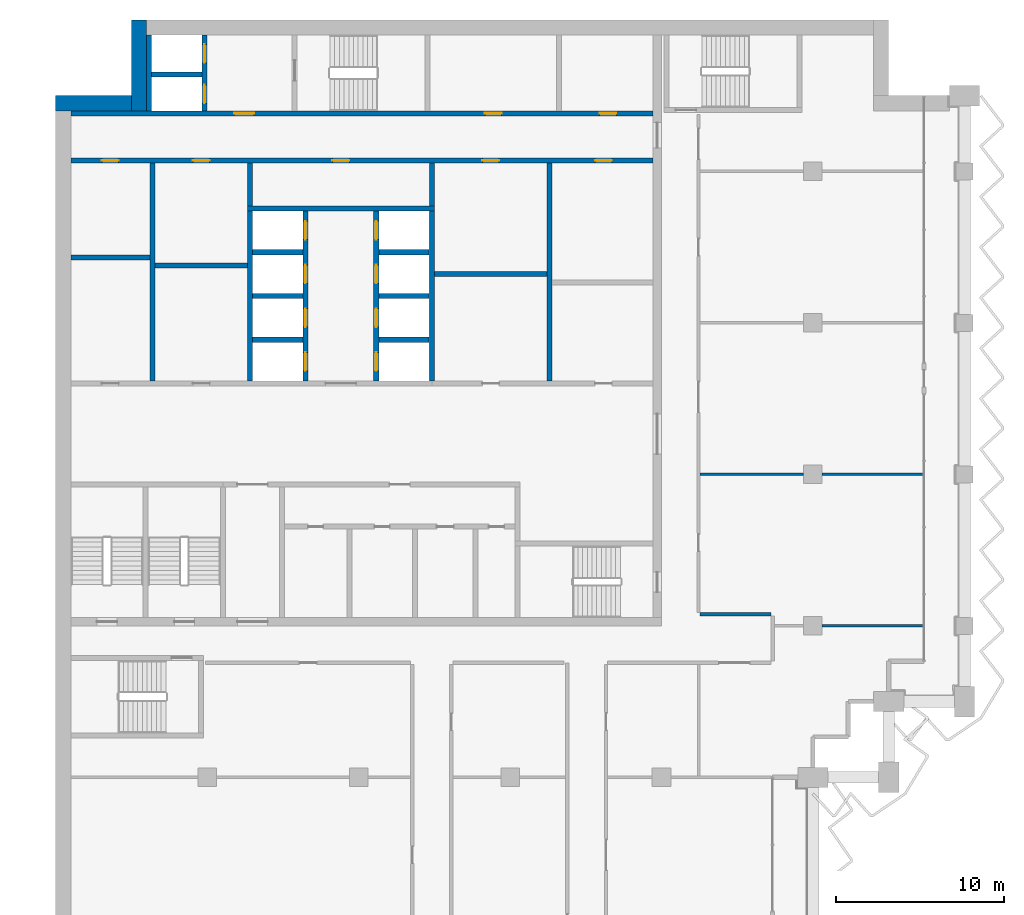
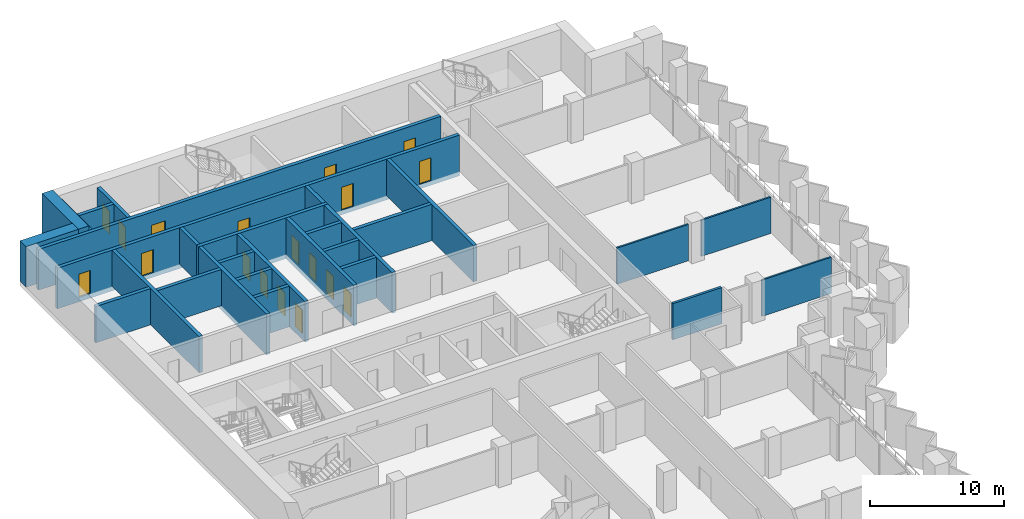
# One storey, part 10 of 17: 29 walls, 18 doors, 18 openings.
"""IFC4 building model written with IfcOpenShell, lengths in metres."""

import ifcopenshell
import ifcopenshell.guid

model = None  # the IFC model being written
_history = None  # IfcOwnerHistory: only IFC2X3 demands one
_inside = {}  # id of a spatial element -> (the spatial element, [elements in it])
_under = {}  # id of a project, library or spatial element -> (it, [spatial elements below it])
_declared = {}  # id of a project -> (the project, [libraries it declares])
_typed = {}  # id of a type object -> (the type object, [elements of that type])
_made_of = {}  # id of a material, layer set ... -> (it, [elements and type objects made of it])


def new_model(schema):
    """Start an empty IFC model of exactly this schema.

    Asked for "IFC4X3", IfcOpenShell would pick the latest addendum, in which some entities
    have other attributes; the version numbers below select the first issue.
    IFC2X3 requires an IfcOwnerHistory on every rooted entity: one is made here for all.
    """
    global model, _history
    if schema == "IFC4X3":
        model = ifcopenshell.file(schema_version=(4, 3, 0, 0))
    else:
        model = ifcopenshell.file(schema=schema)
    _inside.clear()
    _under.clear()
    _declared.clear()
    _typed.clear()
    _made_of.clear()
    _history = None
    if model.schema == "IFC2X3":
        org = make("IfcOrganization", Name="unknown")
        user = make(
            "IfcPersonAndOrganization",
            ThePerson=make("IfcPerson", FamilyName="unknown"),
            TheOrganization=org,
        )
        app = make(
            "IfcApplication",
            ApplicationDeveloper=org,
            Version="unknown",
            ApplicationFullName="unknown",
            ApplicationIdentifier="unknown",
        )
        _history = make(
            "IfcOwnerHistory",
            OwningUser=user,
            OwningApplication=app,
            ChangeAction="ADDED",
            CreationDate=0,
        )
    return model


def make(cls, **values):
    """One entity of the class cls with the attributes given. An attribute that is None is left unset."""
    return model.create_entity(
        cls, **{name: value for name, value in values.items() if value is not None}
    )


def rooted(cls, **values):
    """An entity with a GlobalId (a new one), such as an element, a storey or a relation."""
    return make(cls, GlobalId=ifcopenshell.guid.new(), OwnerHistory=_history, **values)


def si_unit(unit_type, name, prefix=None):
    """IfcSIUnit, for example si_unit("LENGTHUNIT", "METRE", prefix="MILLI")."""
    return make("IfcSIUnit", UnitType=unit_type, Prefix=prefix, Name=name)


def assignment(units):
    """IfcUnitAssignment: the units of a project."""
    return None if units is None else make("IfcUnitAssignment", Units=units)


def point(xyz):
    """IfcCartesianPoint."""
    return None if xyz is None else make("IfcCartesianPoint", Coordinates=xyz)


def direction(xyz):
    """IfcDirection."""
    return None if xyz is None else make("IfcDirection", DirectionRatios=xyz)


def frame(location, z_axis=None, x_axis=None):
    """IfcAxis2Placement3D, a coordinate frame: its origin and axes. An axis left out is left unset."""
    return make(
        "IfcAxis2Placement3D",
        Location=point(location),
        Axis=direction(z_axis),
        RefDirection=direction(x_axis),
    )


def frame_2d(location, x_axis=None):
    """IfcAxis2Placement2D, a coordinate frame in the plane: its origin and x axis."""
    return make(
        "IfcAxis2Placement2D", Location=point(location), RefDirection=direction(x_axis)
    )


def origin():
    """The frame at (0, 0, 0) with its axes left unset."""
    return frame((0.0, 0.0, 0.0))


def place(relative_to, where):
    """IfcLocalPlacement: puts the frame where relative to a parent placement (None: the world)."""
    return make(
        "IfcLocalPlacement", PlacementRelTo=relative_to, RelativePlacement=where
    )


def context(
    kind, dimensions, precision=None, world=None, true_north=None, identifier=None
):
    """IfcGeometricRepresentationContext, for example the 3D "Model" context."""
    return make(
        "IfcGeometricRepresentationContext",
        ContextIdentifier=identifier,
        ContextType=kind,
        CoordinateSpaceDimension=dimensions,
        Precision=precision,
        WorldCoordinateSystem=world,
        TrueNorth=true_north,
    )


def subcontext(parent, identifier, kind, view, scale=None):
    """IfcGeometricRepresentationSubContext, for example "Body" below "Model"."""
    return make(
        "IfcGeometricRepresentationSubContext",
        ContextIdentifier=identifier,
        ContextType=kind,
        ParentContext=parent,
        TargetScale=scale,
        TargetView=view,
    )


def project(units=None, contexts=None):
    """IfcProject with its units and contexts."""
    return rooted(
        "IfcProject",
        Name="project",
        RepresentationContexts=contexts,
        UnitsInContext=assignment(units),
    )


def spatial(cls, under=None, at=None, **own):
    """A site, building, storey or space (cls), placed at a placement, below another one or the project."""
    s = rooted(cls, ObjectPlacement=at, **own)
    if under is not None:
        _under.setdefault(under.id(), (under, []))[1].append(s)
    return s


def profile(cls, at=None, kind="AREA", **sizes):
    """A parametric profile (cls). Its sizes go by their IFC names, for example OverallWidth=200.0."""
    return make(cls, ProfileType=kind, Position=at, **sizes)


def rectangle(**sizes):
    """IfcRectangleProfileDef."""
    return profile("IfcRectangleProfileDef", **sizes)


def extrude(swept, where, along, depth):
    """IfcExtrudedAreaSolid: the profile swept, set in the frame where, extruded along a direction by depth."""
    return make(
        "IfcExtrudedAreaSolid",
        SweptArea=swept,
        Position=where,
        ExtrudedDirection=direction(along),
        Depth=depth,
    )


def shape(context_of_items, identifier, shape_type, items):
    """IfcShapeRepresentation: the items that make up one representation, for example the "Body"."""
    return make(
        "IfcShapeRepresentation",
        ContextOfItems=context_of_items,
        RepresentationIdentifier=identifier,
        RepresentationType=shape_type,
        Items=items,
    )


def material(Name=None, Category=None):
    """IfcMaterial."""
    return make("IfcMaterial", Name=Name, Category=Category)


def layer(
    of_material, thickness, ventilated=None, Name=None, Category=None, Priority=None
):
    """IfcMaterialLayer: one layer of a wall or slab, of a material (None: an air gap)."""
    return make(
        "IfcMaterialLayer",
        Material=of_material,
        LayerThickness=thickness,
        IsVentilated=ventilated,
        Name=Name,
        Category=Category,
        Priority=Priority,
    )


def layer_set(layers, Name=None):
    """IfcMaterialLayerSet."""
    return make("IfcMaterialLayerSet", MaterialLayers=layers, LayerSetName=Name)


def made_of(thing, what):
    """Note that an element or type object is made of a material, layer set ...; save() writes the relation."""
    if what is not None:
        _made_of.setdefault(what.id(), (what, []))[1].append(thing)
    return thing


def type_object(cls, material=None, **own):
    """A type object (cls), such as IfcWallType, which elements share."""
    return made_of(rooted(cls, **own), material)


def element(
    cls,
    number,
    at=None,
    inside=None,
    cuts=None,
    type_object=None,
    material=None,
    context=None,
    identifier="Body",
    shape_type=None,
    held_by="IfcProductDefinitionShape",
    body=None,
    shapes=None,
    **own,
):
    """One element of the class cls, such as IfcWall. Its Tag is "e" and its number.

    at: its placement. inside: the storey or other place that contains it. cuts: it is an
    opening in that element (IfcRelVoidsElement). A single representation is given by context,
    identifier, shape_type and body (its items); several are given by shapes. held_by: the class
    of the entity that holds the representations. save() writes the other relations.
    """
    e = rooted(cls, Tag="e%d" % number, ObjectPlacement=at, **own)
    if body is not None:
        shapes = [shape(context, identifier, shape_type, body)]
    if shapes is not None:
        e.Representation = make(held_by, Representations=shapes)
    if inside is not None:
        _inside.setdefault(inside.id(), (inside, []))[1].append(e)
    if cuts is not None:
        rooted(
            "IfcRelVoidsElement", RelatingBuildingElement=cuts, RelatedOpeningElement=e
        )
    if type_object is not None:
        _typed.setdefault(type_object.id(), (type_object, []))[1].append(e)
    return made_of(e, material)


def fill(opening, filler):
    """IfcRelFillsElement: the door or window that sits in an opening."""
    return rooted(
        "IfcRelFillsElement",
        RelatingOpeningElement=opening,
        RelatedBuildingElement=filler,
    )


def aggregate(whole, parts):
    """IfcRelAggregates: a whole, such as a stair, and the parts it consists of."""
    return rooted("IfcRelAggregates", RelatingObject=whole, RelatedObjects=parts)


def save(model, path):
    """Write the relations noted so far, then the file.

    IfcRelAggregates (storeys below a building ...), IfcRelContainedInSpatialStructure (elements
    in a storey), IfcRelDefinesByType, IfcRelAssociatesMaterial and IfcRelDeclares: one each for
    every whole, place, type object, material and project.
    """
    for whole, parts in _under.values():
        aggregate(whole, parts)
    for where, things in _inside.values():
        rooted(
            "IfcRelContainedInSpatialStructure",
            RelatedElements=things,
            RelatingStructure=where,
        )
    for kind, things in _typed.values():
        rooted("IfcRelDefinesByType", RelatedObjects=things, RelatingType=kind)
    for what, things in _made_of.values():
        rooted("IfcRelAssociatesMaterial", RelatedObjects=things, RelatingMaterial=what)
    for by, libraries in _declared.values():
        rooted("IfcRelDeclares", RelatingContext=by, RelatedDefinitions=libraries)
    model.write(path)


model = new_model("IFC4")

# Units and contexts
model_context = context("Model", 3, precision=1e-05, world=origin(), true_north=direction((0.0, 1.0)))
body_context = subcontext(model_context, "Body", "Model", "MODEL_VIEW")
ifc_project = project(units=[si_unit("LENGTHUNIT", "METRE"), si_unit("AREAUNIT", "SQUARE_METRE"), si_unit("VOLUMEUNIT", "CUBIC_METRE"), si_unit("PLANEANGLEUNIT", "RADIAN"), si_unit("MASSUNIT", "GRAM", prefix="KILO")], contexts=[model_context])

# Site, building, storey
site_placement = place(None, origin())
site = spatial("IfcSite", under=ifc_project, at=site_placement, CompositionType="ELEMENT")
building_placement = place(site_placement, origin())
building = spatial("IfcBuilding", under=site, at=building_placement, Name="Hunhe Ridgeline Campus", CompositionType="ELEMENT")
storey_placement = place(building_placement, frame((0.0, 0.0, 212.39990234375)))
storey = spatial("IfcBuildingStorey", under=building, at=storey_placement, Name="L54", CompositionType="ELEMENT", Elevation=212.39990234375)

# Walls
ifc_material_1 = material(Name="Masonry concrete blockwork", Category="masonry")
ifc_layer_1 = layer(ifc_material_1, 0.300048828125)
ifc_layer_set_1 = layer_set([ifc_layer_1], Name="Core room partition 300 concrete block")
wall_type_1 = type_object("IfcWallType", Name="Core room partition 300 concrete block", PredefinedType="PARTITIONING", material=ifc_layer_set_1)
wall_1_placement = place(storey_placement, frame((22.5, 83.89990234375, 0.0), z_axis=(0.0, 0.0, 1.0), x_axis=(1.0, 0.0, 0.0)))
element("IfcWall", 1, at=wall_1_placement, inside=storey, type_object=wall_type_1, Name="L54 core partition 19", PredefinedType="PARTITIONING", context=body_context, shape_type="SweptSolid", body=[
    extrude(rectangle(XDim=6.699951171875, YDim=0.300048828125, at=frame_2d((3.35009765625, 0.0))), origin(), (0.0, 0.0, 1.0), 3.300048828125),
])
wall_2_placement = place(storey_placement, frame((5.89990234375, 84.39990234375, 0.0), z_axis=(0.0, 0.0, 1.0), x_axis=(1.0, 0.0, 0.0)))
element("IfcWall", 2, at=wall_2_placement, inside=storey, type_object=wall_type_1, Name="L54 core partition 20", PredefinedType="PARTITIONING", context=body_context, shape_type="SweptSolid", body=[
    extrude(rectangle(XDim=5.5, YDim=0.300048828125, at=frame_2d((2.75, 0.0))), origin(), (0.0, 0.0, 1.0), 3.300048828125),
])
wall_3_placement = place(storey_placement, frame((0.89990234375, 84.89990234375, 0.0), z_axis=(0.0, 0.0, 1.0), x_axis=(1.0, 0.0, 0.0)))
element("IfcWall", 3, at=wall_3_placement, inside=storey, type_object=wall_type_1, Name="L54 core partition 21", PredefinedType="PARTITIONING", context=body_context, shape_type="SweptSolid", body=[
    extrude(rectangle(XDim=4.7001953125, YDim=0.300048828125, at=frame_2d((2.35009765625, 0.0))), origin(), (0.0, 0.0, 1.0), 3.300048828125),
])
wall_4_placement = place(storey_placement, frame((5.75, 77.550048828125, 0.0), z_axis=(0.0, 0.0, 1.0), x_axis=(0.0, 1.0, 0.0)))
element("IfcWall", 4, at=wall_4_placement, inside=storey, type_object=wall_type_1, Name="L54 core partition 31", PredefinedType="PARTITIONING", context=body_context, shape_type="SweptSolid", body=[
    extrude(rectangle(XDim=12.949951171875, YDim=0.300048828125, at=frame_2d((6.47509765625, 0.0))), origin(), (0.0, 0.0, 1.0), 3.300048828125),
])
for number, where, z_axis, x_axis, name in (
    (5, (11.550048828125, 87.949951171875, 0.0), (0.0, 0.0, 1.0), (0.0, 1.0, 0.0), "L54 core partition 37"),
    (6, (22.35009765625, 87.949951171875, 0.0), (0.0, 0.0, 1.0), (0.0, 1.0, 0.0), "L54 core partition 47"),
):
    element("IfcWall", number, at=place(storey_placement, frame(where, z_axis=z_axis, x_axis=x_axis)), inside=storey, type_object=wall_type_1, Name=name, PredefinedType="PARTITIONING", context=body_context, shape_type="SweptSolid", body=[
        extrude(rectangle(XDim=2.550048828125, YDim=0.300048828125, at=frame_2d((1.27490234375, 0.0))), origin(), (0.0, 0.0, 1.0), 3.300048828125),
    ])
wall_5_placement = place(storey_placement, frame((29.35009765625, 77.550048828125, 0.0), z_axis=(0.0, 0.0, 1.0), x_axis=(0.0, 1.0, 0.0)))
element("IfcWall", 7, at=wall_5_placement, inside=storey, type_object=wall_type_1, Name="L54 core partition 52", PredefinedType="PARTITIONING", context=body_context, shape_type="SweptSolid", body=[
    extrude(rectangle(XDim=12.949951171875, YDim=0.300048828125, at=frame_2d((6.47509765625, 0.0))), origin(), (0.0, 0.0, 1.0), 3.300048828125),
])
ifc_material_2 = material(Name="Gypsum board partition")
ifc_layer_2 = layer(ifc_material_2, 0.199951171875)
ifc_layer_set_2 = layer_set([ifc_layer_2], Name="Corridor partition 200 gypsum board on steel studs")
wall_type_2 = type_object("IfcWallType", Name="Corridor partition 200 gypsum board on steel studs", PredefinedType="PARTITIONING", material=ifc_layer_set_2)
wall_6_placement = place(storey_placement, frame((38.300048828125, 63.699951171875, 0.0), z_axis=(0.0, 0.0, 1.0), x_axis=(1.0, 0.0, 0.0)))
element("IfcWall", 8, at=wall_6_placement, inside=storey, type_object=wall_type_2, Name="F-L54-wall-038", PredefinedType="PARTITIONING", context=body_context, shape_type="SweptSolid", body=[
    extrude(rectangle(XDim=4.199951171875, YDim=0.199951171875, at=frame_2d((2.10009765625, 0.0))), origin(), (0.0, 0.0, 1.0), 3.300048828125),
])

# Wall, openings, doors
ifc_material_3 = material(Name="Concrete C60", Category="concrete")
ifc_layer_3 = layer(ifc_material_3, 0.300048828125)
ifc_layer_set_3 = layer_set([ifc_layer_3], Name="Lobby wall 300 reinforced concrete C60")
wall_type_3 = type_object("IfcWallType", Name="Lobby wall 300 reinforced concrete C60", PredefinedType="SOLIDWALL", material=ifc_layer_set_3)
wall_7_placement = place(storey_placement, frame((0.89990234375, 90.64990234375, -0.39990234375), z_axis=(0.0, 0.0, 1.0), x_axis=(1.0, 0.0, 0.0)))
wall_7 = element("IfcWall", 9, at=wall_7_placement, inside=storey, type_object=wall_type_3, Name="L54 core wall 25", PredefinedType="SOLIDWALL", context=body_context, shape_type="SweptSolid", body=[
    extrude(rectangle(XDim=34.60009765625, YDim=0.300048828125, at=frame_2d((17.300048828125, 0.0))), origin(), (0.0, 0.0, 1.0), 3.699951171875),
])
opening_1_placement = place(wall_7_placement, frame((15.550048828125, 0.0, 0.39990234375)))
opening_1 = element("IfcOpeningElement", 10, at=opening_1_placement, cuts=wall_7, Name="Opening CD26", PredefinedType="OPENING", context=body_context, shape_type="SweptSolid", body=[
    extrude(rectangle(XDim=1.0, YDim=2.10009765625, at=frame_2d((0.5, 1.050048828125))), frame((0.0, 0.14990234375, 0.0), z_axis=(0.0, -1.0, 0.0), x_axis=(1.0, 0.0, 0.0)), (0.0, 0.0, 1.0), 0.300048828125),
])
opening_2_placement = place(wall_7_placement, frame((1.85009765625, 0.0, 0.39990234375)))
opening_2 = element("IfcOpeningElement", 11, at=opening_2_placement, cuts=wall_7, Name="Opening CD40", PredefinedType="OPENING", context=body_context, shape_type="SweptSolid", body=[
    extrude(rectangle(XDim=1.0, YDim=2.10009765625, at=frame_2d((0.5, 1.050048828125))), frame((0.0, 0.14990234375, 0.0), z_axis=(0.0, -1.0, 0.0), x_axis=(1.0, 0.0, 0.0)), (0.0, 0.0, 1.0), 0.300048828125),
])
opening_3_placement = place(wall_7_placement, frame((7.25, 0.0, 0.39990234375)))
opening_3 = element("IfcOpeningElement", 12, at=opening_3_placement, cuts=wall_7, Name="Opening CD43", PredefinedType="OPENING", context=body_context, shape_type="SweptSolid", body=[
    extrude(rectangle(XDim=1.0, YDim=2.10009765625, at=frame_2d((0.5, 1.050048828125))), frame((0.0, 0.14990234375, 0.0), z_axis=(0.0, -1.0, 0.0), x_axis=(1.0, 0.0, 0.0)), (0.0, 0.0, 1.0), 0.300048828125),
])
opening_4_placement = place(wall_7_placement, frame((24.449951171875, 0.0, 0.39990234375)))
opening_4 = element("IfcOpeningElement", 13, at=opening_4_placement, cuts=wall_7, Name="Opening CD33", PredefinedType="OPENING", context=body_context, shape_type="SweptSolid", body=[
    extrude(rectangle(XDim=1.0, YDim=2.10009765625, at=frame_2d((0.5, 1.050048828125))), frame((0.0, 0.14990234375, 0.0), z_axis=(0.0, -1.0, 0.0), x_axis=(1.0, 0.0, 0.0)), (0.0, 0.0, 1.0), 0.300048828125),
])
opening_5_placement = place(wall_7_placement, frame((31.14990234375, 0.0, 0.39990234375)))
opening_5 = element("IfcOpeningElement", 14, at=opening_5_placement, cuts=wall_7, Name="Opening CD44", PredefinedType="OPENING", context=body_context, shape_type="SweptSolid", body=[
    extrude(rectangle(XDim=1.0, YDim=2.10009765625, at=frame_2d((0.5, 1.050048828125))), frame((0.0, 0.14990234375, 0.0), z_axis=(0.0, -1.0, 0.0), x_axis=(1.0, 0.0, 0.0)), (0.0, 0.0, 1.0), 0.300048828125),
])
ifc_material_4 = material(Name="Solid core timber door leaf", Category="wood")
door_type_1 = type_object("IfcDoorType", Name="Timber door 1000x2100", OperationType="SINGLE_SWING_LEFT", PredefinedType="DOOR", material=ifc_material_4)
door_1_placement = place(opening_1_placement, frame((1.0, 0.0, 0.0), z_axis=(0.0, 0.0, 1.0), x_axis=(-1.0, 0.0, 0.0)))
door_1 = element("IfcDoor", 15, at=door_1_placement, inside=storey, type_object=door_type_1, Name="L54 door NR-0", OperationType="SINGLE_SWING_LEFT", OverallHeight=2.10009765625, OverallWidth=1.0, PredefinedType="DOOR", context=body_context, shape_type="SweptSolid", body=[
    extrude(rectangle(XDim=1.0, YDim=2.10009765625, at=frame_2d((0.5, 1.050048828125))), frame((0.0, 0.02490234375, 0.0), z_axis=(0.0, -1.0, 0.0), x_axis=(1.0, 0.0, 0.0)), (0.0, 0.0, 1.0), 0.050048828125),
])
fill(opening_1, door_1)
door_2_placement = place(opening_2_placement, frame((1.0, 0.0, 0.0), z_axis=(0.0, 0.0, 1.0), x_axis=(-1.0, 0.0, 0.0)))
door_2 = element("IfcDoor", 16, at=door_2_placement, inside=storey, type_object=door_type_1, Name="L54 door VD-LR1", OperationType="SINGLE_SWING_LEFT", OverallHeight=2.10009765625, OverallWidth=1.0, PredefinedType="DOOR", context=body_context, shape_type="SweptSolid", body=[
    extrude(rectangle(XDim=1.0, YDim=2.10009765625, at=frame_2d((0.5, 1.050048828125))), frame((0.0, 0.02490234375, 0.0), z_axis=(0.0, -1.0, 0.0), x_axis=(1.0, 0.0, 0.0)), (0.0, 0.0, 1.0), 0.050048828125),
])
fill(opening_2, door_2)
door_3_placement = place(opening_3_placement, frame((1.0, 0.0, 0.0), z_axis=(0.0, 0.0, 1.0), x_axis=(-1.0, 0.0, 0.0)))
door_3 = element("IfcDoor", 17, at=door_3_placement, inside=storey, type_object=door_type_1, Name="L54 door VD-LR3", OperationType="SINGLE_SWING_LEFT", OverallHeight=2.10009765625, OverallWidth=1.0, PredefinedType="DOOR", context=body_context, shape_type="SweptSolid", body=[
    extrude(rectangle(XDim=1.0, YDim=2.10009765625, at=frame_2d((0.5, 1.050048828125))), frame((0.0, 0.02490234375, 0.0), z_axis=(0.0, -1.0, 0.0), x_axis=(1.0, 0.0, 0.0)), (0.0, 0.0, 1.0), 0.050048828125),
])
fill(opening_3, door_3)
door_4_placement = place(opening_4_placement, frame((1.0, 0.0, 0.0), z_axis=(0.0, 0.0, 1.0), x_axis=(-1.0, 0.0, 0.0)))
door_4 = element("IfcDoor", 18, at=door_4_placement, inside=storey, type_object=door_type_1, Name="L54 door ES1", OperationType="SINGLE_SWING_RIGHT", OverallHeight=2.10009765625, OverallWidth=1.0, PredefinedType="DOOR", context=body_context, shape_type="SweptSolid", body=[
    extrude(rectangle(XDim=1.0, YDim=2.10009765625, at=frame_2d((0.5, 1.050048828125))), frame((0.0, 0.02490234375, 0.0), z_axis=(0.0, -1.0, 0.0), x_axis=(1.0, 0.0, 0.0)), (0.0, 0.0, 1.0), 0.050048828125),
])
fill(opening_4, door_4)
door_5_placement = place(opening_5_placement, frame((1.0, 0.0, 0.0), z_axis=(0.0, 0.0, 1.0), x_axis=(-1.0, 0.0, 0.0)))
door_5 = element("IfcDoor", 19, at=door_5_placement, inside=storey, type_object=door_type_1, Name="L54 door ES3", OperationType="SINGLE_SWING_RIGHT", OverallHeight=2.10009765625, OverallWidth=1.0, PredefinedType="DOOR", context=body_context, shape_type="SweptSolid", body=[
    extrude(rectangle(XDim=1.0, YDim=2.10009765625, at=frame_2d((0.5, 1.050048828125))), frame((0.0, 0.02490234375, 0.0), z_axis=(0.0, -1.0, 0.0), x_axis=(1.0, 0.0, 0.0)), (0.0, 0.0, 1.0), 0.050048828125),
])
fill(opening_5, door_5)

# Walls
ifc_layer_4 = layer(ifc_material_2, 0.14990234375)
ifc_layer_set_4 = layer_set([ifc_layer_4], Name="Room partition 150 gypsum board on steel studs")
wall_type_4 = type_object("IfcWallType", Name="Room partition 150 gypsum board on steel studs", PredefinedType="PARTITIONING", material=ifc_layer_set_4)
wall_8_placement = place(storey_placement, frame((45.550048828125, 63.0, 0.0), z_axis=(0.0, 0.0, 1.0), x_axis=(1.0, 0.0, 0.0)))
element("IfcWall", 20, at=wall_8_placement, inside=storey, type_object=wall_type_4, Name="F-L54-wall-037", PredefinedType="PARTITIONING", context=body_context, shape_type="SweptSolid", body=[
    extrude(rectangle(XDim=5.994873046875, YDim=0.14990234375, at=frame_2d((2.99755859375, 0.0))), origin(), (0.0, 0.0, 1.0), 3.300048828125),
])
wall_9_placement = place(storey_placement, frame((38.300048828125, 72.0, 0.0), z_axis=(0.0, 0.0, 1.0), x_axis=(1.0, 0.0, 0.0)))
element("IfcWall", 21, at=wall_9_placement, inside=storey, type_object=wall_type_4, Name="F-L54-wall-039", PredefinedType="PARTITIONING", context=body_context, shape_type="SweptSolid", body=[
    extrude(rectangle(XDim=6.14990234375, YDim=0.14990234375, at=frame_2d((3.074951171875, 0.0))), origin(), (0.0, 0.0, 1.0), 3.300048828125),
])
wall_10_placement = place(storey_placement, frame((45.550048828125, 72.0, 0.0), z_axis=(0.0, 0.0, 1.0), x_axis=(1.0, 0.0, 0.0)))
element("IfcWall", 22, at=wall_10_placement, inside=storey, type_object=wall_type_4, Name="F-L54-wall-040", PredefinedType="PARTITIONING", context=body_context, shape_type="SweptSolid", body=[
    extrude(rectangle(XDim=5.994873046875, YDim=0.14990234375, at=frame_2d((2.99755859375, 0.0))), origin(), (0.0, 0.0, 1.0), 3.300048828125),
])
ifc_layer_5 = layer(ifc_material_3, 0.300048828125)
ifc_layer_set_5 = layer_set([ifc_layer_5], Name="Shaft wall 300 reinforced concrete C60")
wall_type_5 = type_object("IfcWallType", Name="Shaft wall 300 reinforced concrete C60", PredefinedType="SOLIDWALL", material=ifc_layer_set_5)
for number, where, z_axis, x_axis, name in (
    (23, (11.699951171875, 80.0, -0.39990234375), (0.0, 0.0, 1.0), (1.0, 0.0, 0.0), "L54 core wall 14"),
    (24, (19.199951171875, 80.0, -0.39990234375), (0.0, 0.0, 1.0), (1.0, 0.0, 0.0), "L54 core wall 15"),
    (25, (11.699951171875, 82.60009765625, -0.39990234375), (0.0, 0.0, 1.0), (1.0, 0.0, 0.0), "L54 core wall 16"),
    (26, (19.199951171875, 82.60009765625, -0.39990234375), (0.0, 0.0, 1.0), (1.0, 0.0, 0.0), "L54 core wall 17"),
    (27, (11.699951171875, 85.199951171875, -0.39990234375), (0.0, 0.0, 1.0), (1.0, 0.0, 0.0), "L54 core wall 22"),
    (28, (19.199951171875, 85.199951171875, -0.39990234375), (0.0, 0.0, 1.0), (1.0, 0.0, 0.0), "L54 core wall 23"),
):
    element("IfcWall", number, at=place(storey_placement, frame(where, z_axis=z_axis, x_axis=x_axis)), inside=storey, type_object=wall_type_5, Name=name, PredefinedType="SOLIDWALL", context=body_context, shape_type="SweptSolid", body=[
        extrude(rectangle(XDim=3.0, YDim=0.300048828125, at=frame_2d((1.5, 0.0))), origin(), (0.0, 0.0, 1.0), 3.699951171875),
    ])
wall_11_placement = place(storey_placement, frame((11.39990234375, 87.800048828125, -0.39990234375), z_axis=(0.0, 0.0, 1.0), x_axis=(1.0, 0.0, 0.0)))
element("IfcWall", 29, at=wall_11_placement, inside=storey, type_object=wall_type_5, Name="L54 core wall 24", PredefinedType="SOLIDWALL", context=body_context, shape_type="SweptSolid", body=[
    extrude(rectangle(XDim=11.10009765625, YDim=0.300048828125, at=frame_2d((5.550048828125, 0.0))), origin(), (0.0, 0.0, 1.0), 3.699951171875),
])

# Wall, openings, doors
wall_12_placement = place(storey_placement, frame((0.89990234375, 93.449951171875, -0.39990234375), z_axis=(0.0, 0.0, 1.0), x_axis=(1.0, 0.0, 0.0)))
wall_12 = element("IfcWall", 30, at=wall_12_placement, inside=storey, type_object=wall_type_5, Name="L54 core wall 26", PredefinedType="SOLIDWALL", context=body_context, shape_type="SweptSolid", body=[
    extrude(rectangle(XDim=34.60009765625, YDim=0.300048828125, at=frame_2d((17.300048828125, 0.0))), origin(), (0.0, 0.0, 1.0), 3.699951171875),
])
opening_6_placement = place(wall_12_placement, frame((9.699951171875, 0.0, 0.39990234375)))
opening_6 = element("IfcOpeningElement", 31, at=opening_6_placement, cuts=wall_12, Name="Opening CD3", PredefinedType="OPENING", context=body_context, shape_type="SweptSolid", body=[
    extrude(rectangle(XDim=1.199951171875, YDim=2.10009765625, at=frame_2d((0.60009765625, 1.050048828125))), frame((0.0, 0.14990234375, 0.0), z_axis=(0.0, -1.0, 0.0), x_axis=(1.0, 0.0, 0.0)), (0.0, 0.0, 1.0), 0.300048828125),
])
opening_7_placement = place(wall_12_placement, frame((24.60009765625, 0.0, 0.39990234375)))
opening_7 = element("IfcOpeningElement", 32, at=opening_7_placement, cuts=wall_12, Name="Opening CD34", PredefinedType="OPENING", context=body_context, shape_type="SweptSolid", body=[
    extrude(rectangle(XDim=1.0, YDim=2.10009765625, at=frame_2d((0.5, 1.050048828125))), frame((0.0, 0.14990234375, 0.0), z_axis=(0.0, -1.0, 0.0), x_axis=(1.0, 0.0, 0.0)), (0.0, 0.0, 1.0), 0.300048828125),
])
opening_8_placement = place(wall_12_placement, frame((31.425048828125, 0.0, 0.39990234375)))
opening_8 = element("IfcOpeningElement", 33, at=opening_8_placement, cuts=wall_12, Name="Opening CD35", PredefinedType="OPENING", context=body_context, shape_type="SweptSolid", body=[
    extrude(rectangle(XDim=1.0, YDim=2.10009765625, at=frame_2d((0.5, 1.050048828125))), frame((0.0, 0.14990234375, 0.0), z_axis=(0.0, -1.0, 0.0), x_axis=(1.0, 0.0, 0.0)), (0.0, 0.0, 1.0), 0.300048828125),
])
ifc_material_5 = material(Name="Hollow metal fire door leaf")
door_type_2 = type_object("IfcDoorType", Name="Lobby door 1200x2100 FD60", OperationType="SINGLE_SWING_LEFT", PredefinedType="DOOR", material=ifc_material_5)
door_6_placement = place(opening_6_placement, frame((1.199951171875, 0.0, 0.0), z_axis=(0.0, 0.0, 1.0), x_axis=(-1.0, 0.0, 0.0)))
door_6 = element("IfcDoor", 34, at=door_6_placement, inside=storey, type_object=door_type_2, Name="L54 door FF-C1", OperationType="SINGLE_SWING_RIGHT", OverallHeight=2.10009765625, OverallWidth=1.199951171875, PredefinedType="DOOR", context=body_context, shape_type="SweptSolid", body=[
    extrude(rectangle(XDim=1.199951171875, YDim=2.10009765625, at=frame_2d((0.60009765625, 1.050048828125))), frame((0.0, 0.02490234375, 0.0), z_axis=(0.0, -1.0, 0.0), x_axis=(1.0, 0.0, 0.0)), (0.0, 0.0, 1.0), 0.050048828125),
])
fill(opening_6, door_6)
door_7_placement = place(opening_7_placement, origin())
door_7 = element("IfcDoor", 35, at=door_7_placement, inside=storey, type_object=door_type_1, Name="L54 door NB0", OperationType="SINGLE_SWING_RIGHT", OverallHeight=2.10009765625, OverallWidth=1.0, PredefinedType="DOOR", context=body_context, shape_type="SweptSolid", body=[
    extrude(rectangle(XDim=1.0, YDim=2.10009765625, at=frame_2d((0.5, 1.050048828125))), frame((0.0, 0.02490234375, 0.0), z_axis=(0.0, -1.0, 0.0), x_axis=(1.0, 0.0, 0.0)), (0.0, 0.0, 1.0), 0.050048828125),
])
fill(opening_7, door_7)
door_8_placement = place(opening_8_placement, origin())
door_8 = element("IfcDoor", 36, at=door_8_placement, inside=storey, type_object=door_type_1, Name="L54 door NB1", OperationType="SINGLE_SWING_LEFT", OverallHeight=2.10009765625, OverallWidth=1.0, PredefinedType="DOOR", context=body_context, shape_type="SweptSolid", body=[
    extrude(rectangle(XDim=1.0, YDim=2.10009765625, at=frame_2d((0.5, 1.050048828125))), frame((0.0, 0.02490234375, 0.0), z_axis=(0.0, -1.0, 0.0), x_axis=(1.0, 0.0, 0.0)), (0.0, 0.0, 1.0), 0.050048828125),
])
fill(opening_8, door_8)

# Walls
wall_13_placement = place(storey_placement, frame((5.699951171875, 95.75, -0.39990234375), z_axis=(0.0, 0.0, 1.0), x_axis=(1.0, 0.0, 0.0)))
element("IfcWall", 37, at=wall_13_placement, inside=storey, type_object=wall_type_5, Name="L54 core wall 28", PredefinedType="SOLIDWALL", context=body_context, shape_type="SweptSolid", body=[
    extrude(rectangle(XDim=3.0, YDim=0.300048828125, at=frame_2d((1.5, 0.0))), origin(), (0.0, 0.0, 1.0), 3.699951171875),
])
wall_14_placement = place(storey_placement, frame((5.550048828125, 93.60009765625, -0.39990234375), z_axis=(0.0, 0.0, 1.0), x_axis=(0.0, 1.0, 0.0)))
element("IfcWall", 38, at=wall_14_placement, inside=storey, type_object=wall_type_5, Name="L54 core wall 30", PredefinedType="SOLIDWALL", context=body_context, shape_type="SweptSolid", body=[
    extrude(rectangle(XDim=4.5, YDim=0.300048828125, at=frame_2d((2.25, 0.0))), origin(), (0.0, 0.0, 1.0), 3.699951171875),
])

# Wall, openings, doors
wall_15_placement = place(storey_placement, frame((8.85009765625, 93.60009765625, -0.39990234375), z_axis=(0.0, 0.0, 1.0), x_axis=(0.0, 1.0, 0.0)))
wall_15 = element("IfcWall", 39, at=wall_15_placement, inside=storey, type_object=wall_type_5, Name="L54 core wall 34", PredefinedType="SOLIDWALL", context=body_context, shape_type="SweptSolid", body=[
    extrude(rectangle(XDim=4.5, YDim=0.300048828125, at=frame_2d((2.25, 0.0))), origin(), (0.0, 0.0, 1.0), 3.699951171875),
])
opening_9_placement = place(wall_15_placement, frame((0.449951171875, 0.0, 0.39990234375)))
opening_9 = element("IfcOpeningElement", 40, at=opening_9_placement, cuts=wall_15, Name="Opening LD-FF1", PredefinedType="OPENING", context=body_context, shape_type="SweptSolid", body=[
    extrude(rectangle(XDim=1.10009765625, YDim=2.10009765625, at=frame_2d((0.550048828125, 1.050048828125))), frame((0.0, 0.14990234375, 0.0), z_axis=(0.0, -1.0, 0.0), x_axis=(1.0, 0.0, 0.0)), (0.0, 0.0, 1.0), 0.300048828125),
])
opening_10_placement = place(wall_15_placement, frame((2.85009765625, 0.0, 0.39990234375)))
opening_10 = element("IfcOpeningElement", 41, at=opening_10_placement, cuts=wall_15, Name="Opening LD-FF2", PredefinedType="OPENING", context=body_context, shape_type="SweptSolid", body=[
    extrude(rectangle(XDim=1.10009765625, YDim=2.10009765625, at=frame_2d((0.550048828125, 1.050048828125))), frame((0.0, 0.14990234375, 0.0), z_axis=(0.0, -1.0, 0.0), x_axis=(1.0, 0.0, 0.0)), (0.0, 0.0, 1.0), 0.300048828125),
])
ifc_material_6 = material(Name="Stainless steel sliding leaves", Category="steel")
door_type_3 = type_object("IfcDoorType", Name="Landing door 1100x2100 FD120", OperationType="SLIDING_TO_LEFT", PredefinedType="DOOR", material=ifc_material_6)
door_9_placement = place(opening_9_placement, origin())
door_9 = element("IfcDoor", 42, at=door_9_placement, inside=storey, type_object=door_type_3, Name="L54 landing door FF1", OperationType="SLIDING_TO_RIGHT", OverallHeight=2.10009765625, OverallWidth=1.10009765625, PredefinedType="DOOR", context=body_context, shape_type="SweptSolid", body=[
    extrude(rectangle(XDim=1.10009765625, YDim=2.10009765625, at=frame_2d((0.550048828125, 1.050048828125))), frame((0.0, 0.02490234375, 0.0), z_axis=(0.0, -1.0, 0.0), x_axis=(1.0, 0.0, 0.0)), (0.0, 0.0, 1.0), 0.050048828125),
])
fill(opening_9, door_9)
door_10_placement = place(opening_10_placement, origin())
door_10 = element("IfcDoor", 43, at=door_10_placement, inside=storey, type_object=door_type_3, Name="L54 landing door FF2", OperationType="SLIDING_TO_LEFT", OverallHeight=2.10009765625, OverallWidth=1.10009765625, PredefinedType="DOOR", context=body_context, shape_type="SweptSolid", body=[
    extrude(rectangle(XDim=1.10009765625, YDim=2.10009765625, at=frame_2d((0.550048828125, 1.050048828125))), frame((0.0, 0.02490234375, 0.0), z_axis=(0.0, -1.0, 0.0), x_axis=(1.0, 0.0, 0.0)), (0.0, 0.0, 1.0), 0.050048828125),
])
fill(opening_10, door_10)

# Wall
wall_16_placement = place(storey_placement, frame((11.550048828125, 77.550048828125, -0.39990234375), z_axis=(0.0, 0.0, 1.0), x_axis=(0.0, 1.0, 0.0)))
element("IfcWall", 44, at=wall_16_placement, inside=storey, type_object=wall_type_5, Name="L54 core wall 36", PredefinedType="SOLIDWALL", context=body_context, shape_type="SweptSolid", body=[
    extrude(rectangle(XDim=10.099853515625, YDim=0.300048828125, at=frame_2d((5.0498046875, 0.0))), origin(), (0.0, 0.0, 1.0), 3.699951171875),
])

# Wall, openings, doors
wall_17_placement = place(storey_placement, frame((14.85009765625, 77.550048828125, -0.39990234375), z_axis=(0.0, 0.0, 1.0), x_axis=(0.0, 1.0, 0.0)))
wall_17 = element("IfcWall", 45, at=wall_17_placement, inside=storey, type_object=wall_type_5, Name="L54 core wall 40", PredefinedType="SOLIDWALL", context=body_context, shape_type="SweptSolid", body=[
    extrude(rectangle(XDim=10.099853515625, YDim=0.300048828125, at=frame_2d((5.0498046875, 0.0))), origin(), (0.0, 0.0, 1.0), 3.699951171875),
])
opening_11_placement = place(wall_17_placement, frame((0.60009765625, 0.0, 0.39990234375)))
opening_11 = element("IfcOpeningElement", 46, at=opening_11_placement, cuts=wall_17, Name="Opening LD-HR1", PredefinedType="OPENING", context=body_context, shape_type="SweptSolid", body=[
    extrude(rectangle(XDim=1.10009765625, YDim=2.10009765625, at=frame_2d((0.550048828125, 1.050048828125))), frame((0.0, 0.14990234375, 0.0), z_axis=(0.0, -1.0, 0.0), x_axis=(1.0, 0.0, 0.0)), (0.0, 0.0, 1.0), 0.300048828125),
])
opening_12_placement = place(wall_17_placement, frame((3.199951171875, 0.0, 0.39990234375)))
opening_12 = element("IfcOpeningElement", 47, at=opening_12_placement, cuts=wall_17, Name="Opening LD-HR2", PredefinedType="OPENING", context=body_context, shape_type="SweptSolid", body=[
    extrude(rectangle(XDim=1.10009765625, YDim=2.10009765625, at=frame_2d((0.550048828125, 1.050048828125))), frame((0.0, 0.14990234375, 0.0), z_axis=(0.0, -1.0, 0.0), x_axis=(1.0, 0.0, 0.0)), (0.0, 0.0, 1.0), 0.300048828125),
])
opening_13_placement = place(wall_17_placement, frame((5.800048828125, 0.0, 0.39990234375)))
opening_13 = element("IfcOpeningElement", 48, at=opening_13_placement, cuts=wall_17, Name="Opening LD-HR3", PredefinedType="OPENING", context=body_context, shape_type="SweptSolid", body=[
    extrude(rectangle(XDim=1.10009765625, YDim=2.10009765625, at=frame_2d((0.550048828125, 1.050048828125))), frame((0.0, 0.14990234375, 0.0), z_axis=(0.0, -1.0, 0.0), x_axis=(1.0, 0.0, 0.0)), (0.0, 0.0, 1.0), 0.300048828125),
])
opening_14_placement = place(wall_17_placement, frame((8.39990234375, 0.0, 0.39990234375)))
opening_14 = element("IfcOpeningElement", 49, at=opening_14_placement, cuts=wall_17, Name="Opening LD-HR4", PredefinedType="OPENING", context=body_context, shape_type="SweptSolid", body=[
    extrude(rectangle(XDim=1.10009765625, YDim=2.10009765625, at=frame_2d((0.550048828125, 1.050048828125))), frame((0.0, 0.14990234375, 0.0), z_axis=(0.0, -1.0, 0.0), x_axis=(1.0, 0.0, 0.0)), (0.0, 0.0, 1.0), 0.300048828125),
])
door_11_placement = place(opening_11_placement, origin())
door_11 = element("IfcDoor", 50, at=door_11_placement, inside=storey, type_object=door_type_3, Name="L54 landing door HR1", OperationType="SLIDING_TO_RIGHT", OverallHeight=2.10009765625, OverallWidth=1.10009765625, PredefinedType="DOOR", context=body_context, shape_type="SweptSolid", body=[
    extrude(rectangle(XDim=1.10009765625, YDim=2.10009765625, at=frame_2d((0.550048828125, 1.050048828125))), frame((0.0, 0.02490234375, 0.0), z_axis=(0.0, -1.0, 0.0), x_axis=(1.0, 0.0, 0.0)), (0.0, 0.0, 1.0), 0.050048828125),
])
fill(opening_11, door_11)
door_12_placement = place(opening_12_placement, origin())
door_12 = element("IfcDoor", 51, at=door_12_placement, inside=storey, type_object=door_type_3, Name="L54 landing door HR2", OperationType="SLIDING_TO_LEFT", OverallHeight=2.10009765625, OverallWidth=1.10009765625, PredefinedType="DOOR", context=body_context, shape_type="SweptSolid", body=[
    extrude(rectangle(XDim=1.10009765625, YDim=2.10009765625, at=frame_2d((0.550048828125, 1.050048828125))), frame((0.0, 0.02490234375, 0.0), z_axis=(0.0, -1.0, 0.0), x_axis=(1.0, 0.0, 0.0)), (0.0, 0.0, 1.0), 0.050048828125),
])
fill(opening_12, door_12)
door_13_placement = place(opening_13_placement, origin())
door_13 = element("IfcDoor", 52, at=door_13_placement, inside=storey, type_object=door_type_3, Name="L54 landing door HR3", OperationType="SLIDING_TO_RIGHT", OverallHeight=2.10009765625, OverallWidth=1.10009765625, PredefinedType="DOOR", context=body_context, shape_type="SweptSolid", body=[
    extrude(rectangle(XDim=1.10009765625, YDim=2.10009765625, at=frame_2d((0.550048828125, 1.050048828125))), frame((0.0, 0.02490234375, 0.0), z_axis=(0.0, -1.0, 0.0), x_axis=(1.0, 0.0, 0.0)), (0.0, 0.0, 1.0), 0.050048828125),
])
fill(opening_13, door_13)
door_14_placement = place(opening_14_placement, origin())
door_14 = element("IfcDoor", 53, at=door_14_placement, inside=storey, type_object=door_type_3, Name="L54 landing door HR4", OperationType="SLIDING_TO_LEFT", OverallHeight=2.10009765625, OverallWidth=1.10009765625, PredefinedType="DOOR", context=body_context, shape_type="SweptSolid", body=[
    extrude(rectangle(XDim=1.10009765625, YDim=2.10009765625, at=frame_2d((0.550048828125, 1.050048828125))), frame((0.0, 0.02490234375, 0.0), z_axis=(0.0, -1.0, 0.0), x_axis=(1.0, 0.0, 0.0)), (0.0, 0.0, 1.0), 0.050048828125),
])
fill(opening_14, door_14)

wall_18_placement = place(storey_placement, frame((19.050048828125, 77.550048828125, -0.39990234375), z_axis=(0.0, 0.0, 1.0), x_axis=(0.0, 1.0, 0.0)))
wall_18 = element("IfcWall", 54, at=wall_18_placement, inside=storey, type_object=wall_type_5, Name="L54 core wall 42", PredefinedType="SOLIDWALL", context=body_context, shape_type="SweptSolid", body=[
    extrude(rectangle(XDim=10.099853515625, YDim=0.300048828125, at=frame_2d((5.0498046875, 0.0))), origin(), (0.0, 0.0, 1.0), 3.699951171875),
])
opening_15_placement = place(wall_18_placement, frame((0.60009765625, 0.0, 0.39990234375)))
opening_15 = element("IfcOpeningElement", 55, at=opening_15_placement, cuts=wall_18, Name="Opening LD-HR5", PredefinedType="OPENING", context=body_context, shape_type="SweptSolid", body=[
    extrude(rectangle(XDim=1.10009765625, YDim=2.10009765625, at=frame_2d((0.550048828125, 1.050048828125))), frame((0.0, 0.14990234375, 0.0), z_axis=(0.0, -1.0, 0.0), x_axis=(1.0, 0.0, 0.0)), (0.0, 0.0, 1.0), 0.300048828125),
])
opening_16_placement = place(wall_18_placement, frame((3.199951171875, 0.0, 0.39990234375)))
opening_16 = element("IfcOpeningElement", 56, at=opening_16_placement, cuts=wall_18, Name="Opening LD-HR6", PredefinedType="OPENING", context=body_context, shape_type="SweptSolid", body=[
    extrude(rectangle(XDim=1.10009765625, YDim=2.10009765625, at=frame_2d((0.550048828125, 1.050048828125))), frame((0.0, 0.14990234375, 0.0), z_axis=(0.0, -1.0, 0.0), x_axis=(1.0, 0.0, 0.0)), (0.0, 0.0, 1.0), 0.300048828125),
])
opening_17_placement = place(wall_18_placement, frame((5.800048828125, 0.0, 0.39990234375)))
opening_17 = element("IfcOpeningElement", 57, at=opening_17_placement, cuts=wall_18, Name="Opening LD-HR7", PredefinedType="OPENING", context=body_context, shape_type="SweptSolid", body=[
    extrude(rectangle(XDim=1.10009765625, YDim=2.10009765625, at=frame_2d((0.550048828125, 1.050048828125))), frame((0.0, 0.14990234375, 0.0), z_axis=(0.0, -1.0, 0.0), x_axis=(1.0, 0.0, 0.0)), (0.0, 0.0, 1.0), 0.300048828125),
])
opening_18_placement = place(wall_18_placement, frame((8.39990234375, 0.0, 0.39990234375)))
opening_18 = element("IfcOpeningElement", 58, at=opening_18_placement, cuts=wall_18, Name="Opening LD-HR8", PredefinedType="OPENING", context=body_context, shape_type="SweptSolid", body=[
    extrude(rectangle(XDim=1.10009765625, YDim=2.10009765625, at=frame_2d((0.550048828125, 1.050048828125))), frame((0.0, 0.14990234375, 0.0), z_axis=(0.0, -1.0, 0.0), x_axis=(1.0, 0.0, 0.0)), (0.0, 0.0, 1.0), 0.300048828125),
])
door_15_placement = place(opening_15_placement, origin())
door_15 = element("IfcDoor", 59, at=door_15_placement, inside=storey, type_object=door_type_3, Name="L54 landing door HR5", OperationType="SLIDING_TO_RIGHT", OverallHeight=2.10009765625, OverallWidth=1.10009765625, PredefinedType="DOOR", context=body_context, shape_type="SweptSolid", body=[
    extrude(rectangle(XDim=1.10009765625, YDim=2.10009765625, at=frame_2d((0.550048828125, 1.050048828125))), frame((0.0, 0.02490234375, 0.0), z_axis=(0.0, -1.0, 0.0), x_axis=(1.0, 0.0, 0.0)), (0.0, 0.0, 1.0), 0.050048828125),
])
fill(opening_15, door_15)
door_16_placement = place(opening_16_placement, origin())
door_16 = element("IfcDoor", 60, at=door_16_placement, inside=storey, type_object=door_type_3, Name="L54 landing door HR6", OperationType="SLIDING_TO_LEFT", OverallHeight=2.10009765625, OverallWidth=1.10009765625, PredefinedType="DOOR", context=body_context, shape_type="SweptSolid", body=[
    extrude(rectangle(XDim=1.10009765625, YDim=2.10009765625, at=frame_2d((0.550048828125, 1.050048828125))), frame((0.0, 0.02490234375, 0.0), z_axis=(0.0, -1.0, 0.0), x_axis=(1.0, 0.0, 0.0)), (0.0, 0.0, 1.0), 0.050048828125),
])
fill(opening_16, door_16)
door_17_placement = place(opening_17_placement, origin())
door_17 = element("IfcDoor", 61, at=door_17_placement, inside=storey, type_object=door_type_3, Name="L54 landing door HR7", OperationType="SLIDING_TO_RIGHT", OverallHeight=2.10009765625, OverallWidth=1.10009765625, PredefinedType="DOOR", context=body_context, shape_type="SweptSolid", body=[
    extrude(rectangle(XDim=1.10009765625, YDim=2.10009765625, at=frame_2d((0.550048828125, 1.050048828125))), frame((0.0, 0.02490234375, 0.0), z_axis=(0.0, -1.0, 0.0), x_axis=(1.0, 0.0, 0.0)), (0.0, 0.0, 1.0), 0.050048828125),
])
fill(opening_17, door_17)
door_18_placement = place(opening_18_placement, origin())
door_18 = element("IfcDoor", 62, at=door_18_placement, inside=storey, type_object=door_type_3, Name="L54 landing door HR8", OperationType="SLIDING_TO_LEFT", OverallHeight=2.10009765625, OverallWidth=1.10009765625, PredefinedType="DOOR", context=body_context, shape_type="SweptSolid", body=[
    extrude(rectangle(XDim=1.10009765625, YDim=2.10009765625, at=frame_2d((0.550048828125, 1.050048828125))), frame((0.0, 0.02490234375, 0.0), z_axis=(0.0, -1.0, 0.0), x_axis=(1.0, 0.0, 0.0)), (0.0, 0.0, 1.0), 0.050048828125),
])
fill(opening_18, door_18)

# Walls
wall_19_placement = place(storey_placement, frame((22.35009765625, 77.550048828125, -0.39990234375), z_axis=(0.0, 0.0, 1.0), x_axis=(0.0, 1.0, 0.0)))
element("IfcWall", 63, at=wall_19_placement, inside=storey, type_object=wall_type_5, Name="L54 core wall 46", PredefinedType="SOLIDWALL", context=body_context, shape_type="SweptSolid", body=[
    extrude(rectangle(XDim=10.099853515625, YDim=0.300048828125, at=frame_2d((5.0498046875, 0.0))), origin(), (0.0, 0.0, 1.0), 3.699951171875),
])
ifc_layer_6 = layer(ifc_material_3, 0.89990234375)
ifc_layer_set_6 = layer_set([ifc_layer_6], Name="Spine wall 900 Concrete C60")
wall_type_6 = type_object("IfcWallType", Name="Spine wall 900 Concrete C60", PredefinedType="SHEAR", material=ifc_layer_set_6)
for number, where, z_axis, x_axis, name in (
    (64, (4.949951171875, 99.0, 0.0), (0.0, 0.0, 1.0), (0.0, -1.0, 0.0), "Spine wall SW3-5 L54"),
    (65, (5.400146484375, 94.050048828125, 0.0), (0.0, 0.0, 1.0), (-1.0, 0.0, 0.0), "Spine wall SW3-6 L54"),
):
    element("IfcWall", number, at=place(storey_placement, frame(where, z_axis=z_axis, x_axis=x_axis)), inside=storey, type_object=wall_type_6, Name=name, PredefinedType="SHEAR", context=body_context, shape_type="SweptSolid", body=[
        extrude(rectangle(XDim=5.400146484375, YDim=0.89990234375, at=frame_2d((2.7001953125, 0.0))), origin(), (0.0, 0.0, 1.0), 3.7001953125),
    ])

save(model, "model.ifc")
